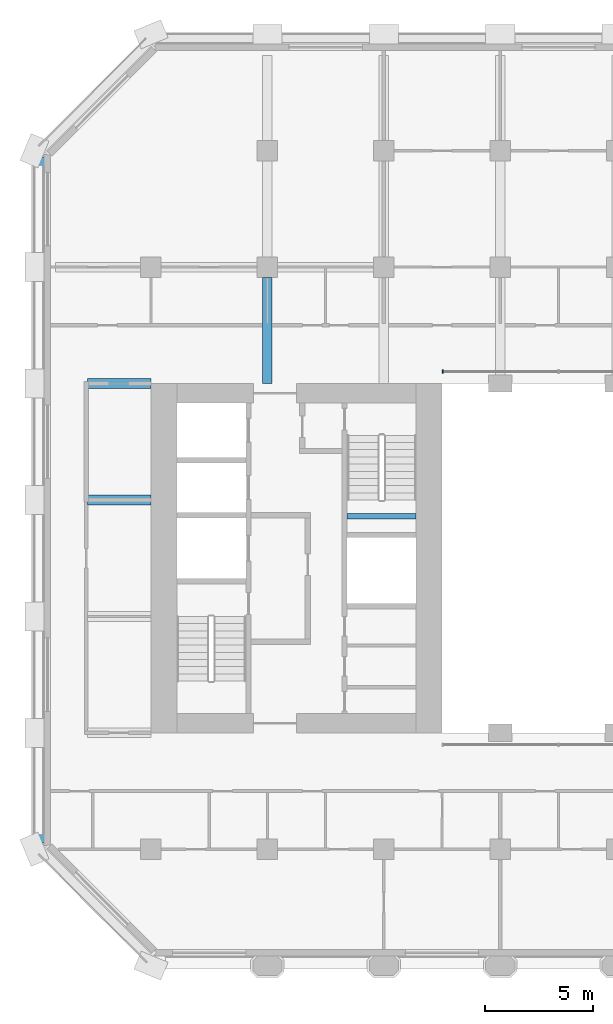
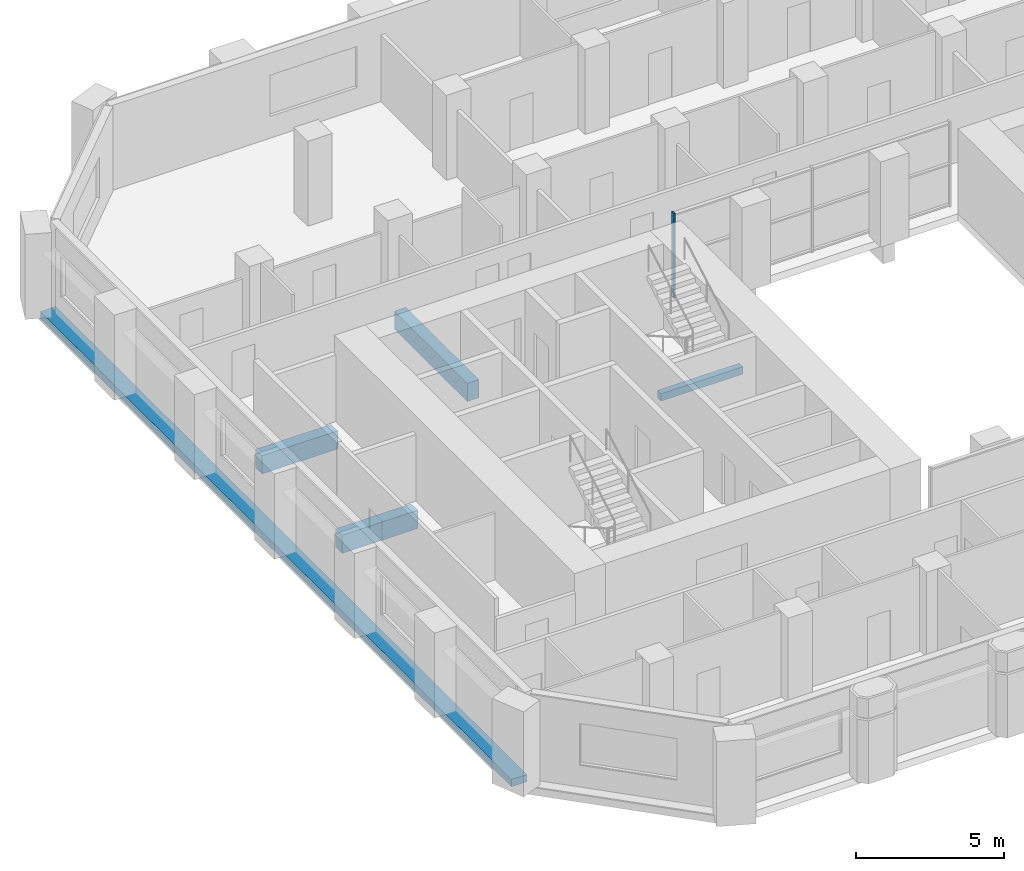
# One storey, part 3 of 13: 5 beams, 1 member, 1 element without a shape of its own.
"""IFC4 building model written with IfcOpenShell, lengths in metres."""

import ifcopenshell
import ifcopenshell.guid

model = None  # the IFC model being written
_history = None  # IfcOwnerHistory: only IFC2X3 demands one
_inside = {}  # id of a spatial element -> (the spatial element, [elements in it])
_under = {}  # id of a project, library or spatial element -> (it, [spatial elements below it])
_declared = {}  # id of a project -> (the project, [libraries it declares])
_typed = {}  # id of a type object -> (the type object, [elements of that type])
_made_of = {}  # id of a material, layer set ... -> (it, [elements and type objects made of it])


def new_model(schema):
    """Start an empty IFC model of exactly this schema.

    Asked for "IFC4X3", IfcOpenShell would pick the latest addendum, in which some entities
    have other attributes; the version numbers below select the first issue.
    IFC2X3 requires an IfcOwnerHistory on every rooted entity: one is made here for all.
    """
    global model, _history
    if schema == "IFC4X3":
        model = ifcopenshell.file(schema_version=(4, 3, 0, 0))
    else:
        model = ifcopenshell.file(schema=schema)
    _inside.clear()
    _under.clear()
    _declared.clear()
    _typed.clear()
    _made_of.clear()
    _history = None
    if model.schema == "IFC2X3":
        org = make("IfcOrganization", Name="unknown")
        user = make(
            "IfcPersonAndOrganization",
            ThePerson=make("IfcPerson", FamilyName="unknown"),
            TheOrganization=org,
        )
        app = make(
            "IfcApplication",
            ApplicationDeveloper=org,
            Version="unknown",
            ApplicationFullName="unknown",
            ApplicationIdentifier="unknown",
        )
        _history = make(
            "IfcOwnerHistory",
            OwningUser=user,
            OwningApplication=app,
            ChangeAction="ADDED",
            CreationDate=0,
        )
    return model


def make(cls, **values):
    """One entity of the class cls with the attributes given. An attribute that is None is left unset."""
    return model.create_entity(
        cls, **{name: value for name, value in values.items() if value is not None}
    )


def rooted(cls, **values):
    """An entity with a GlobalId (a new one), such as an element, a storey or a relation."""
    return make(cls, GlobalId=ifcopenshell.guid.new(), OwnerHistory=_history, **values)


def si_unit(unit_type, name, prefix=None):
    """IfcSIUnit, for example si_unit("LENGTHUNIT", "METRE", prefix="MILLI")."""
    return make("IfcSIUnit", UnitType=unit_type, Prefix=prefix, Name=name)


def assignment(units):
    """IfcUnitAssignment: the units of a project."""
    return None if units is None else make("IfcUnitAssignment", Units=units)


def point(xyz):
    """IfcCartesianPoint."""
    return None if xyz is None else make("IfcCartesianPoint", Coordinates=xyz)


def direction(xyz):
    """IfcDirection."""
    return None if xyz is None else make("IfcDirection", DirectionRatios=xyz)


def frame(location, z_axis=None, x_axis=None):
    """IfcAxis2Placement3D, a coordinate frame: its origin and axes. An axis left out is left unset."""
    return make(
        "IfcAxis2Placement3D",
        Location=point(location),
        Axis=direction(z_axis),
        RefDirection=direction(x_axis),
    )


def frame_2d(location, x_axis=None):
    """IfcAxis2Placement2D, a coordinate frame in the plane: its origin and x axis."""
    return make(
        "IfcAxis2Placement2D", Location=point(location), RefDirection=direction(x_axis)
    )


def origin():
    """The frame at (0, 0, 0) with its axes left unset."""
    return frame((0.0, 0.0, 0.0))


def origin_2d():
    """The frame at (0, 0) in the plane with its x axis left unset."""
    return frame_2d((0.0, 0.0))


def place(relative_to, where):
    """IfcLocalPlacement: puts the frame where relative to a parent placement (None: the world)."""
    return make(
        "IfcLocalPlacement", PlacementRelTo=relative_to, RelativePlacement=where
    )


def context(
    kind, dimensions, precision=None, world=None, true_north=None, identifier=None
):
    """IfcGeometricRepresentationContext, for example the 3D "Model" context."""
    return make(
        "IfcGeometricRepresentationContext",
        ContextIdentifier=identifier,
        ContextType=kind,
        CoordinateSpaceDimension=dimensions,
        Precision=precision,
        WorldCoordinateSystem=world,
        TrueNorth=true_north,
    )


def subcontext(parent, identifier, kind, view, scale=None):
    """IfcGeometricRepresentationSubContext, for example "Body" below "Model"."""
    return make(
        "IfcGeometricRepresentationSubContext",
        ContextIdentifier=identifier,
        ContextType=kind,
        ParentContext=parent,
        TargetScale=scale,
        TargetView=view,
    )


def project(units=None, contexts=None):
    """IfcProject with its units and contexts."""
    return rooted(
        "IfcProject",
        Name="project",
        RepresentationContexts=contexts,
        UnitsInContext=assignment(units),
    )


def spatial(cls, under=None, at=None, **own):
    """A site, building, storey or space (cls), placed at a placement, below another one or the project."""
    s = rooted(cls, ObjectPlacement=at, **own)
    if under is not None:
        _under.setdefault(under.id(), (under, []))[1].append(s)
    return s


def profile(cls, at=None, kind="AREA", **sizes):
    """A parametric profile (cls). Its sizes go by their IFC names, for example OverallWidth=200.0."""
    return make(cls, ProfileType=kind, Position=at, **sizes)


def rectangle(**sizes):
    """IfcRectangleProfileDef."""
    return profile("IfcRectangleProfileDef", **sizes)


def extrude(swept, where, along, depth):
    """IfcExtrudedAreaSolid: the profile swept, set in the frame where, extruded along a direction by depth."""
    return make(
        "IfcExtrudedAreaSolid",
        SweptArea=swept,
        Position=where,
        ExtrudedDirection=direction(along),
        Depth=depth,
    )


def shape(context_of_items, identifier, shape_type, items):
    """IfcShapeRepresentation: the items that make up one representation, for example the "Body"."""
    return make(
        "IfcShapeRepresentation",
        ContextOfItems=context_of_items,
        RepresentationIdentifier=identifier,
        RepresentationType=shape_type,
        Items=items,
    )


def material(Name=None, Category=None):
    """IfcMaterial."""
    return make("IfcMaterial", Name=Name, Category=Category)


def material_profile(
    of_material, cross_section, Name=None, Category=None, Priority=None
):
    """IfcMaterialProfile: a cross section and its material."""
    return make(
        "IfcMaterialProfile",
        Name=Name,
        Material=of_material,
        Profile=cross_section,
        Priority=Priority,
        Category=Category,
    )


def profile_set(profiles, Name=None, composite=None):
    """IfcMaterialProfileSet."""
    return make(
        "IfcMaterialProfileSet",
        Name=Name,
        MaterialProfiles=profiles,
        CompositeProfile=composite,
    )


def made_of(thing, what):
    """Note that an element or type object is made of a material, layer set ...; save() writes the relation."""
    if what is not None:
        _made_of.setdefault(what.id(), (what, []))[1].append(thing)
    return thing


def type_object(cls, material=None, **own):
    """A type object (cls), such as IfcWallType, which elements share."""
    return made_of(rooted(cls, **own), material)


def element(
    cls,
    number,
    at=None,
    inside=None,
    cuts=None,
    type_object=None,
    material=None,
    context=None,
    identifier="Body",
    shape_type=None,
    held_by="IfcProductDefinitionShape",
    body=None,
    shapes=None,
    **own,
):
    """One element of the class cls, such as IfcWall. Its Tag is "e" and its number.

    at: its placement. inside: the storey or other place that contains it. cuts: it is an
    opening in that element (IfcRelVoidsElement). A single representation is given by context,
    identifier, shape_type and body (its items); several are given by shapes. held_by: the class
    of the entity that holds the representations. save() writes the other relations.
    """
    e = rooted(cls, Tag="e%d" % number, ObjectPlacement=at, **own)
    if body is not None:
        shapes = [shape(context, identifier, shape_type, body)]
    if shapes is not None:
        e.Representation = make(held_by, Representations=shapes)
    if inside is not None:
        _inside.setdefault(inside.id(), (inside, []))[1].append(e)
    if cuts is not None:
        rooted(
            "IfcRelVoidsElement", RelatingBuildingElement=cuts, RelatedOpeningElement=e
        )
    if type_object is not None:
        _typed.setdefault(type_object.id(), (type_object, []))[1].append(e)
    return made_of(e, material)


def aggregate(whole, parts):
    """IfcRelAggregates: a whole, such as a stair, and the parts it consists of."""
    return rooted("IfcRelAggregates", RelatingObject=whole, RelatedObjects=parts)


def save(model, path):
    """Write the relations noted so far, then the file.

    IfcRelAggregates (storeys below a building ...), IfcRelContainedInSpatialStructure (elements
    in a storey), IfcRelDefinesByType, IfcRelAssociatesMaterial and IfcRelDeclares: one each for
    every whole, place, type object, material and project.
    """
    for whole, parts in _under.values():
        aggregate(whole, parts)
    for where, things in _inside.values():
        rooted(
            "IfcRelContainedInSpatialStructure",
            RelatedElements=things,
            RelatingStructure=where,
        )
    for kind, things in _typed.values():
        rooted("IfcRelDefinesByType", RelatedObjects=things, RelatingType=kind)
    for what, things in _made_of.values():
        rooted("IfcRelAssociatesMaterial", RelatedObjects=things, RelatingMaterial=what)
    for by, libraries in _declared.values():
        rooted("IfcRelDeclares", RelatingContext=by, RelatedDefinitions=libraries)
    model.write(path)


model = new_model("IFC4")

# Units and contexts
model_context = context("Model", 3, precision=1e-05, world=origin(), true_north=direction((0.0, 1.0)))
body_context = subcontext(model_context, "Body", "Model", "MODEL_VIEW")
ifc_project = project(units=[si_unit("LENGTHUNIT", "METRE"), si_unit("AREAUNIT", "SQUARE_METRE"), si_unit("VOLUMEUNIT", "CUBIC_METRE"), si_unit("PLANEANGLEUNIT", "RADIAN"), si_unit("MASSUNIT", "GRAM", prefix="KILO")], contexts=[model_context])

# Site, building, storey
site_placement = place(None, origin())
site = spatial("IfcSite", under=ifc_project, at=site_placement, CompositionType="ELEMENT")
building_placement = place(site_placement, origin())
building = spatial("IfcBuilding", under=site, at=building_placement, Name="Tabaq Tower and Sports Hall", CompositionType="ELEMENT")
storey_placement = place(building_placement, frame((0.0, 0.0, 118.199951171875)))
storey = spatial("IfcBuildingStorey", under=building, at=storey_placement, Name="L28", CompositionType="ELEMENT", Elevation=118.199951171875)

# Curtain wall, member
ifc_material_1 = material(Name="Aluminium alloy 6063-T6 framed glazing", Category="aluminium")
curtain_wall_type = type_object("IfcCurtainWallType", Name="CW1 curtain wall", PredefinedType="USERDEFINED", material=ifc_material_1)
curtain_wall_placement = place(storey_placement, origin())
curtain_wall = element("IfcCurtainWall", 1, at=curtain_wall_placement, inside=storey, type_object=curtain_wall_type, Name="Atrium glazing L28 N", ObjectType="ATRIUM ENCLOSURE", PredefinedType="USERDEFINED")
ifc_material_2 = material(Name="Aluminium alloy 6063-T6", Category="aluminium")
ifc_material_profile_1 = material_profile(ifc_material_2, rectangle(XDim=0.159912109375, YDim=0.06005859375, at=origin_2d()), Name="MULLION 160x60")
ifc_profile_set_1 = profile_set([ifc_material_profile_1], Name="Aluminium alloy 6063-T6")
member_type = type_object("IfcMemberType", Name="CW1 mullion 160x60", PredefinedType="MULLION", material=ifc_profile_set_1)
member_placement = place(storey_placement, frame((18.929931640625, 32.949951171875, 0.0), z_axis=(0.0, 0.0, 1.0), x_axis=(0.0, 1.0, 0.0)))
member = element("IfcMember", 2, at=member_placement, type_object=member_type, Name="CW1 mullion 1", PredefinedType="MULLION", context=body_context, shape_type="SweptSolid", body=[
    extrude(rectangle(XDim=0.159912109375, YDim=0.06005859375, at=origin_2d()), origin(), (0.0, 0.0, 1.0), 3.5),
])
aggregate(curtain_wall, [member])

# Beams
ifc_material_3 = material(Name="Concrete C40/50", Category="concrete")
ifc_material_profile_2 = material_profile(ifc_material_3, rectangle(XDim=0.449951171875, YDim=0.75, at=origin_2d()), Name="CB 450x750")
ifc_profile_set_2 = profile_set([ifc_material_profile_2], Name="Concrete C40/50")
beam_type_1 = type_object("IfcBeamType", Name="PT CANTILEVER BEAM CB 450x750 C40/50", PredefinedType="BEAM", material=ifc_profile_set_2)
for number, where, z_axis, x_axis, name in (
    (3, (2.449951171875, 27.0, -0.675048828125), (1.0, 0.0, 0.0), (0.0, 1.0, 0.0), "Cantilever Beam L28 W5 span 1"),
    (4, (2.449951171875, 32.39990234375, -0.675048828125), (1.0, 0.0, 0.0), (0.0, 1.0, 0.0), "Cantilever Beam L28 W6 span 1"),
):
    element("IfcBeam", number, at=place(storey_placement, frame(where, z_axis=z_axis, x_axis=x_axis)), inside=storey, type_object=beam_type_1, Name=name, PredefinedType="BEAM", context=body_context, shape_type="SweptSolid", body=[
        extrude(rectangle(XDim=0.449951171875, YDim=0.75, at=origin_2d()), origin(), (0.0, 0.0, 1.0), 2.949951171875),
    ])
beam_1_placement = place(storey_placement, frame((10.800048828125, 37.324951171875, -0.675048828125), z_axis=(0.0, -1.0, 0.0), x_axis=(1.0, 0.0, 0.0)))
element("IfcBeam", 5, at=beam_1_placement, inside=storey, type_object=beam_type_1, Name="Cantilever Beam L28 N2 span 3", PredefinedType="BEAM", context=body_context, shape_type="SweptSolid", body=[
    extrude(rectangle(XDim=0.449951171875, YDim=0.75, at=origin_2d()), origin(), (0.0, 0.0, 1.0), 4.925048828125),
])
ifc_material_4 = material(Name="Concrete C40/50", Category="concrete")
ifc_material_profile_3 = material_profile(ifc_material_4, rectangle(XDim=0.60009765625, YDim=0.300048828125, at=origin_2d()), Name="EB 600x300")
ifc_profile_set_3 = profile_set([ifc_material_profile_3], Name="Concrete C40/50")
beam_type_2 = type_object("IfcBeamType", Name="PT EDGE BEAM EB 600x300 C40/50", PredefinedType="SPANDREL", material=ifc_profile_set_3)
beam_2_placement = place(storey_placement, frame((0.300048828125, 42.9013671875, -0.14990234375), z_axis=(0.0, -1.0, 0.0), x_axis=(1.0, 0.0, 0.0)))
element("IfcBeam", 6, at=beam_2_placement, inside=storey, type_object=beam_type_2, Name="Edge Beam L28 4", PredefinedType="SPANDREL", context=body_context, shape_type="SweptSolid", body=[
    extrude(rectangle(XDim=0.60009765625, YDim=0.300048828125, at=origin_2d()), origin(), (0.0, 0.0, 1.0), 31.802734375),
])
ifc_material_5 = material(Name="Concrete C40/50", Category="concrete")
ifc_material_profile_4 = material_profile(ifc_material_5, rectangle(XDim=0.25, YDim=0.300048828125, at=origin_2d()), Name="RC 250x300")
ifc_profile_set_4 = profile_set([ifc_material_profile_4], Name="Concrete C40/50")
beam_type_3 = type_object("IfcBeamType", Name="Stair landing beam 250x300", PredefinedType="BEAM", material=ifc_profile_set_4)
beam_3_placement = place(storey_placement, frame((14.5, 26.25, 1.550048828125), z_axis=(1.0, 0.0, 0.0), x_axis=(0.0, 1.0, 0.0)))
element("IfcBeam", 7, at=beam_3_placement, inside=storey, type_object=beam_type_3, Name="L28 ST2 landing beam 1", PredefinedType="BEAM", context=body_context, shape_type="SweptSolid", body=[
    extrude(rectangle(XDim=0.25, YDim=0.300048828125, at=origin_2d()), origin(), (0.0, 0.0, 1.0), 3.199951171875),
])

save(model, "model.ifc")
